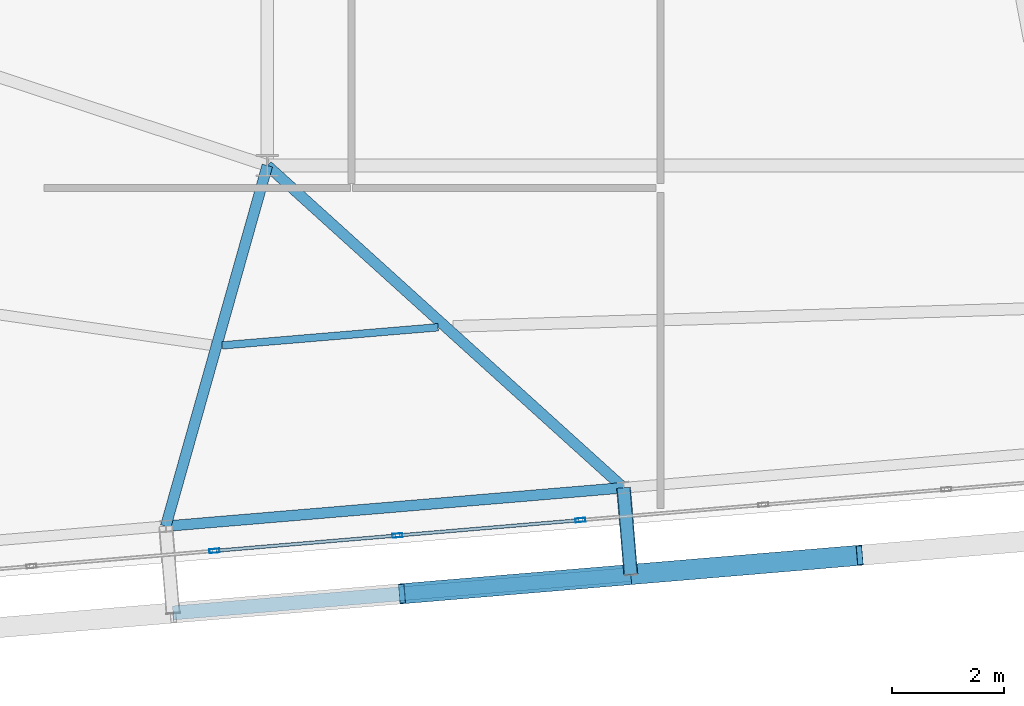
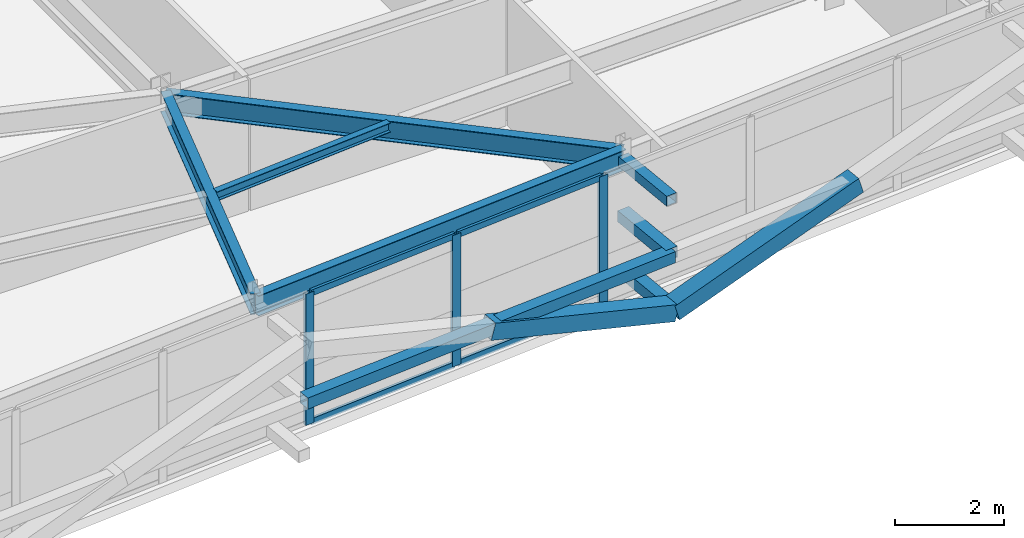
# One storey, part 11 of 46: 13 members, 4 beams, 1 element without a shape of its own.
"""IFC4 building model written with IfcOpenShell, lengths in metres."""

from ifc_helpers import new_model, si_unit, direction, frame, origin, origin_2d, place, context, subcontext, project, spatial, hollow_rectangle, i_section, extrude, source, transform, mapped, material, layer, layer_set, material_profile, profile_set, type_object, element, aggregate, save


model = new_model("IFC4")

# Units and contexts
model_context = context("Model", 3, precision=1e-05, world=origin(), true_north=direction((0.0, 1.0)))
body_context = subcontext(model_context, "Body", "Model", "MODEL_VIEW")
ifc_project = project(units=[si_unit("LENGTHUNIT", "METRE"), si_unit("AREAUNIT", "SQUARE_METRE"), si_unit("VOLUMEUNIT", "CUBIC_METRE"), si_unit("PLANEANGLEUNIT", "RADIAN"), si_unit("MASSUNIT", "GRAM", prefix="KILO")], contexts=[model_context])

# Site, building, storey
site_placement = place(None, origin())
site = spatial("IfcSite", under=ifc_project, at=site_placement, CompositionType="ELEMENT")
building_placement = place(site_placement, origin())
building = spatial("IfcBuilding", under=site, at=building_placement, Name="Taldren Reach Tower", CompositionType="ELEMENT")
storey_placement = place(building_placement, frame((0.0, 0.0, 185.14990234375)))
storey = spatial("IfcBuildingStorey", under=building, at=storey_placement, Name="L56", CompositionType="ELEMENT", Elevation=185.14990234375)

# Members
ifc_material_1 = material(Name="Steel Gr 350 (C350L0)", Category="steel")
ifc_material_profile_1 = material_profile(ifc_material_1, hollow_rectangle(XDim=0.25, YDim=0.25, WallThickness=0.010009765625, at=origin_2d()), Name="250x250x10.0SHS")
ifc_profile_set_1 = profile_set([ifc_material_profile_1], Name="Steel Gr 350 (C350L0)")
member_type_1 = type_object("IfcMemberType", Name="MB-POST250", PredefinedType="POST", material=ifc_profile_set_1)
shared_shape_1 = source(origin(), body_context, "Body", "SweptSolid", [
    extrude(hollow_rectangle(XDim=0.25, YDim=0.25, WallThickness=0.010009765625, at=origin_2d()), origin(), (0.0, 0.0, 1.0), 1.5498046875),
])
for number, where, z_axis, x_axis, name in (
    (1, (34.34228515625, 3.462890625, 0.22021484375), (0.083645141657, -0.996495604746, 0.0), (0.996495604746, 0.083645141657, 0.0), "Exoskeleton base diaphragm tie strut B4-S3 L56"),
    (2, (34.34228515625, 3.462890625, 1.43505859375), (0.083645141657, -0.996495604746, 0.0), (0.996495604746, 0.083645141657, 0.0), "Exoskeleton mid-tier diaphragm tie B4-S3 L56"),
):
    element("IfcMember", number, at=place(storey_placement, frame(where, z_axis=z_axis, x_axis=x_axis)), inside=storey, type_object=member_type_1, Name=name, PredefinedType="POST", context=body_context, shape_type="MappedRepresentation", body=[
        mapped(shared_shape_1, transform((0.0, 0.0, 0.0), scale=1.0)),
    ])

# Beams
ifc_material_2 = material(Name="Steel Gr 350 (350PLUS)", Category="steel")
ifc_material_profile_2 = material_profile(ifc_material_2, i_section(OverallWidth=0.18994140625, OverallDepth=0.4541015625, WebThickness=0.008544921875, FlangeThickness=0.0126953125, at=origin_2d()), Name="460UB67.1")
ifc_profile_set_2 = profile_set([ifc_material_profile_2], Name="Steel Gr 350 (350PLUS)")
beam_type_1 = type_object("IfcBeamType", Name="SP-UB460B", PredefinedType="SPANDREL", material=ifc_profile_set_2)
shared_shape_2 = source(origin(), body_context, "Body", "SweptSolid", [
    extrude(i_section(OverallWidth=0.18994140625, OverallDepth=0.4541015625, WebThickness=0.008544921875, FlangeThickness=0.0126953125, at=origin_2d()), origin(), (0.0, 0.0, 1.0), 8.179931640625),
])
beam_1_placement = place(storey_placement, frame((26.19091796875, 2.778564453125, 2.703125), z_axis=(0.996494523218, 0.083658025296, 0.0), x_axis=(-0.083658025296, 0.996494523218, 0.0)))
element("IfcBeam", 3, at=beam_1_placement, inside=storey, type_object=beam_type_1, Name="Perimeter spandrel B4 S2-S3 L56", PredefinedType="SPANDREL", context=body_context, shape_type="MappedRepresentation", body=[
    mapped(shared_shape_2, transform((0.0, 0.0, 0.0), scale=1.0)),
])
ifc_material_profile_3 = material_profile(ifc_material_2, i_section(OverallWidth=0.19091796875, OverallDepth=0.4599609375, WebThickness=0.010009765625, FlangeThickness=0.01611328125, at=origin_2d()), Name="460UB82.1")
ifc_profile_set_3 = profile_set([ifc_material_profile_3], Name="Steel Gr 350 (350PLUS)")
beam_type_2 = type_object("IfcBeamType", Name="BM-UB460A", PredefinedType="BEAM", material=ifc_profile_set_3)
shared_shape_3 = source(origin(), body_context, "Body", "SweptSolid", [
    extrude(i_section(OverallWidth=0.19091796875, OverallDepth=0.4599609375, WebThickness=0.010009765625, FlangeThickness=0.01611328125, at=origin_2d()), origin(), (0.0, 0.0, 1.0), 6.67138671875),
])
beam_2_placement = place(storey_placement, frame((28.0, 9.199951171875, 2.7001953125), z_axis=(-0.271171579948, -0.962531025073, 0.0), x_axis=(0.962531025073, -0.271171579948, 0.0)))
element("IfcBeam", 4, at=beam_2_placement, inside=storey, type_object=beam_type_2, Name="Primary floor girder B4-S2 L56", PredefinedType="BEAM", context=body_context, shape_type="MappedRepresentation", body=[
    mapped(shared_shape_3, transform((0.0, 0.0, 0.0), scale=1.0)),
])
shared_shape_4 = source(origin(), body_context, "Body", "SweptSolid", [
    extrude(i_section(OverallWidth=0.19091796875, OverallDepth=0.4599609375, WebThickness=0.010009765625, FlangeThickness=0.01611328125, at=origin_2d()), origin(), (0.0, 0.0, 1.0), 8.552001953125),
])
beam_3_placement = place(storey_placement, frame((28.0, 9.199951171875, 2.7001953125), z_axis=(0.741605435155, -0.670836327689, 0.0), x_axis=(0.670836327689, 0.741605435155, 0.0)))
element("IfcBeam", 5, at=beam_3_placement, inside=storey, type_object=beam_type_2, Name="Primary floor girder B4-S3 L56", PredefinedType="BEAM", context=body_context, shape_type="MappedRepresentation", body=[
    mapped(shared_shape_4, transform((0.0, 0.0, 0.0), scale=1.0)),
])
ifc_material_3 = material(Name="Steel Gr 300 (300PLUS, 300 MPa)", Category="steel")
ifc_material_profile_4 = material_profile(ifc_material_3, i_section(OverallWidth=0.134033203125, OverallDepth=0.20703125, WebThickness=0.00634765625, FlangeThickness=0.009521484375, at=origin_2d()), Name="200UB29.8")
ifc_profile_set_4 = profile_set([ifc_material_profile_4], Name="Steel Gr 300 (300PLUS, 300 MPa)")
beam_type_3 = type_object("IfcBeamType", Name="JS-UB200", PredefinedType="JOIST", material=ifc_profile_set_4)
shared_shape_5 = source(origin(), body_context, "Body", "SweptSolid", [
    extrude(i_section(OverallWidth=0.134033203125, OverallDepth=0.20703125, WebThickness=0.00634765625, FlangeThickness=0.009521484375, at=origin_2d()), origin(), (0.0, 0.0, 1.0), 3.857177734375),
])
beam_4_placement = place(storey_placement, frame((27.197021484375, 5.997802734375, 2.82666015625), z_axis=(0.996493179166, 0.083674033464, 0.0), x_axis=(-0.083674033464, 0.996493179166, 0.0)))
element("IfcBeam", 6, at=beam_4_placement, inside=storey, type_object=beam_type_3, Name="Secondary floor joist B4 J2 L56", PredefinedType="JOIST", context=body_context, shape_type="MappedRepresentation", body=[
    mapped(shared_shape_5, transform((0.0, 0.0, 0.0), scale=1.0)),
])

# Members
ifc_material_4 = material(Name="Steel Gr 450 (C450L0)", Category="steel")
ifc_material_profile_5 = material_profile(ifc_material_4, hollow_rectangle(XDim=0.219970703125, YDim=0.219970703125, WallThickness=0.00830078125, at=origin_2d()), Name="220x220x8.2SHS")
ifc_profile_set_5 = profile_set([ifc_material_profile_5], Name="Steel Gr 450 (C450L0)")
member_type_2 = type_object("IfcMemberType", Name="MB-TIE219", PredefinedType="STRUT", material=ifc_profile_set_5)
shared_shape_6 = source(origin(), body_context, "Body", "SweptSolid", [
    extrude(hollow_rectangle(XDim=0.219970703125, YDim=0.219970703125, WallThickness=0.00830078125, at=origin_2d()), origin(), (0.0, 0.0, 1.0), 1.5498046875),
])
member_1_placement = place(storey_placement, frame((34.34228515625, 3.462890625, 2.650146484375), z_axis=(0.083645141657, -0.996495604746, 0.0), x_axis=(0.996495604746, 0.083645141657, 0.0)))
element("IfcMember", 7, at=member_1_placement, inside=storey, type_object=member_type_2, Name="Exoskeleton diaphragm tie strut B4-S3 L56", PredefinedType="STRUT", context=body_context, shape_type="MappedRepresentation", body=[
    mapped(shared_shape_6, transform((0.0, 0.0, 0.0), scale=1.0)),
])
shared_shape_7 = source(origin(), body_context, "Body", "SweptSolid", [
    extrude(hollow_rectangle(XDim=0.25, YDim=0.25, WallThickness=0.010009765625, at=origin_2d()), origin(), (0.0, 0.0, 1.0), 8.18017578125),
])
member_2_placement = place(storey_placement, frame((26.320556640625, 1.23388671875, 1.43505859375), z_axis=(0.996492034688, 0.083687662192, 0.0), x_axis=(-0.083687662192, 0.996492034688, 0.0)))
element("IfcMember", 8, at=member_2_placement, inside=storey, type_object=member_type_1, Name="Exoskeleton mid-height ring chord B4-S2 L56", PredefinedType="POST", context=body_context, shape_type="MappedRepresentation", body=[
    mapped(shared_shape_7, transform((0.0, 0.0, 0.0), scale=1.0)),
])
ifc_material_profile_6 = material_profile(ifc_material_4, hollow_rectangle(XDim=0.360107421875, YDim=0.360107421875, WallThickness=0.0126953125, at=origin_2d()), Name="360x360x12.7SHS")
ifc_profile_set_6 = profile_set([ifc_material_profile_6], Name="Steel Gr 450 (C450L0)")
member_type_3 = type_object("IfcMemberType", Name="MB-EXO356", PredefinedType="BRACE", material=ifc_profile_set_6)
shared_shape_8 = source(origin(), body_context, "Body", "SweptSolid", [
    extrude(hollow_rectangle(XDim=0.360107421875, YDim=0.360107421875, WallThickness=0.0126953125, at=origin_2d()), origin(), (0.0, 0.0, 1.0), 4.2666015625),
])
for number, where, z_axis, x_axis, name in (
    (9, (34.471923828125, 1.91845703125, 0.22021484375), (-0.955244723646, -0.080223619417, 0.284730906006), (0.083687662192, -0.996492034688, 0.0), "Exoskeleton Diagrid Brace B4-S2 L56"),
    (10, (34.471923828125, 1.91845703125, 0.22021484375), (0.955244723646, 0.080223619417, 0.284730906006), (-0.083687662192, 0.996492034688, 0.0), "Exoskeleton Diagrid Brace B4-S3 L56"),
):
    element("IfcMember", number, at=place(storey_placement, frame(where, z_axis=z_axis, x_axis=x_axis)), inside=storey, type_object=member_type_3, Name=name, PredefinedType="BRACE", context=body_context, shape_type="MappedRepresentation", body=[
        mapped(shared_shape_8, transform((0.0, 0.0, 0.0), scale=1.0)),
    ])

# Curtain wall, members
ifc_material_5 = material(Name="Aluminium and Low-E Glass Unitised System", Category="aluminium")
ifc_layer = layer(ifc_material_5, 0.159912109375)
ifc_layer_set = layer_set([ifc_layer], Name="Aluminium and Low-E Glass Unitised System")
curtain_wall_type = type_object("IfcCurtainWallType", Name="CW-SYS-5", PredefinedType="NOTDEFINED", material=ifc_layer_set)
curtain_wall_placement = place(storey_placement, origin())
curtain_wall = element("IfcCurtainWall", 11, at=curtain_wall_placement, inside=storey, type_object=curtain_wall_type, Name="Unitised curtain wall CW-L56-S", PredefinedType="NOTDEFINED")
ifc_material_6 = material(Name="Anodised Aluminium 6063-T6", Category="aluminium")
ifc_material_profile_7 = material_profile(ifc_material_6, hollow_rectangle(XDim=0.070068359375, YDim=0.179931640625, WallThickness=0.00390625, at=origin_2d()), Name="ALU-180x70x4RHS")
ifc_profile_set_7 = profile_set([ifc_material_profile_7], Name="Anodised Aluminium 6063-T6")
member_type_4 = type_object("IfcMemberType", Name="CW-MUL-180", PredefinedType="MULLION", material=ifc_profile_set_7)
shared_shape_9 = source(origin(), body_context, "Body", "SweptSolid", [
    extrude(hollow_rectangle(XDim=0.070068359375, YDim=0.179931640625, WallThickness=0.00390625, at=origin_2d()), origin(), (0.0, 0.0, 1.0), 2.93017578125),
])
member_3_placement = place(storey_placement, frame((27.058349609375, 2.339599609375, 0.0), z_axis=(0.0, 0.0, 1.0), x_axis=(-0.083677894865, 0.996492854922, 0.0)))
member_3 = element("IfcMember", 12, at=member_3_placement, type_object=member_type_4, Name="CW-5 mullion 4", PredefinedType="MULLION", context=body_context, shape_type="MappedRepresentation", body=[
    mapped(shared_shape_9, transform((0.0, 0.0, 0.0), scale=1.0)),
])
member_4_placement = place(storey_placement, frame((30.316162109375, 2.613037109375, 0.0), z_axis=(0.0, 0.0, 1.0), x_axis=(-0.083677894865, 0.996492854922, 0.0)))
member_4 = element("IfcMember", 13, at=member_4_placement, type_object=member_type_4, Name="CW-5 mullion 5", PredefinedType="MULLION", context=body_context, shape_type="MappedRepresentation", body=[
    mapped(shared_shape_9, transform((0.0, 0.0, 0.0), scale=1.0)),
])
member_5_placement = place(storey_placement, frame((33.573974609375, 2.88671875, 0.0), z_axis=(0.0, 0.0, 1.0), x_axis=(-0.083677894865, 0.996492854922, 0.0)))
member_5 = element("IfcMember", 14, at=member_5_placement, type_object=member_type_4, Name="CW-5 mullion 6", PredefinedType="MULLION", context=body_context, shape_type="MappedRepresentation", body=[
    mapped(shared_shape_9, transform((0.0, 0.0, 0.0), scale=1.0)),
])
ifc_material_profile_8 = material_profile(ifc_material_6, hollow_rectangle(XDim=0.06005859375, YDim=0.135009765625, WallThickness=0.00341796875, at=origin_2d()), Name="ALU-135x60x3.5RHS")
ifc_profile_set_8 = profile_set([ifc_material_profile_8], Name="Anodised Aluminium 6063-T6")
member_type_5 = type_object("IfcMemberType", Name="CW-TRN-150", PredefinedType="USERDEFINED", material=ifc_profile_set_8)
shared_shape_10 = source(origin(), body_context, "Body", "SweptSolid", [
    extrude(hollow_rectangle(XDim=0.06005859375, YDim=0.135009765625, WallThickness=0.00341796875, at=origin_2d()), origin(), (0.0, 0.0, 1.0), 3.19921875),
])
member_6_placement = place(storey_placement, frame((27.09326171875, 2.342529296875, 0.030029296875), z_axis=(0.996496109493, 0.083639128198, 0.0), x_axis=(-0.083639128198, 0.996496109493, 0.0)))
member_6 = element("IfcMember", 15, at=member_6_placement, type_object=member_type_5, Name="CW-5 transom 4.1", ObjectType="TRANSOM", PredefinedType="USERDEFINED", context=body_context, shape_type="MappedRepresentation", body=[
    mapped(shared_shape_10, transform((0.0, 0.0, 0.0), scale=1.0)),
])
member_7_placement = place(storey_placement, frame((27.09326171875, 2.342529296875, 2.900146484375), z_axis=(0.996496109493, 0.083639128198, 0.0), x_axis=(-0.083639128198, 0.996496109493, 0.0)))
member_7 = element("IfcMember", 16, at=member_7_placement, type_object=member_type_5, Name="CW-5 transom 4.2", ObjectType="TRANSOM", PredefinedType="USERDEFINED", context=body_context, shape_type="MappedRepresentation", body=[
    mapped(shared_shape_10, transform((0.0, 0.0, 0.0), scale=1.0)),
])
member_8_placement = place(storey_placement, frame((30.35107421875, 2.615966796875, 0.030029296875), z_axis=(0.996489746258, 0.083714906697, 0.0), x_axis=(-0.083714906697, 0.996489746258, 0.0)))
member_8 = element("IfcMember", 17, at=member_8_placement, type_object=member_type_5, Name="CW-5 transom 5.1", ObjectType="TRANSOM", PredefinedType="USERDEFINED", context=body_context, shape_type="MappedRepresentation", body=[
    mapped(shared_shape_10, transform((0.0, 0.0, 0.0), scale=1.0)),
])
member_9_placement = place(storey_placement, frame((30.35107421875, 2.615966796875, 2.900146484375), z_axis=(0.996489746258, 0.083714906697, 0.0), x_axis=(-0.083714906697, 0.996489746258, 0.0)))
member_9 = element("IfcMember", 18, at=member_9_placement, type_object=member_type_5, Name="CW-5 transom 5.2", ObjectType="TRANSOM", PredefinedType="USERDEFINED", context=body_context, shape_type="MappedRepresentation", body=[
    mapped(shared_shape_10, transform((0.0, 0.0, 0.0), scale=1.0)),
])
aggregate(curtain_wall, [member_3, member_4, member_5, member_6, member_7, member_8, member_9])

save(model, "model.ifc")
